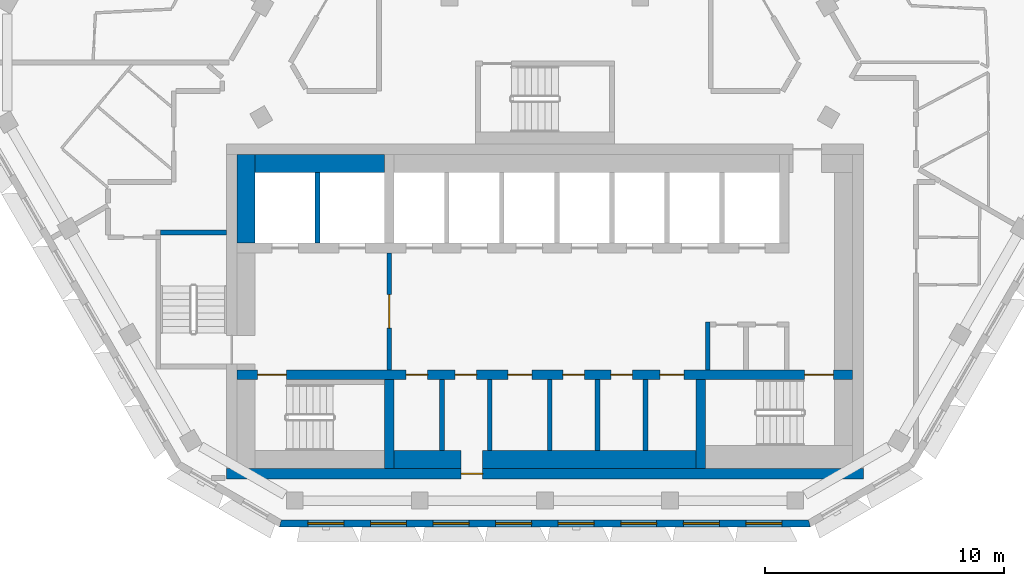
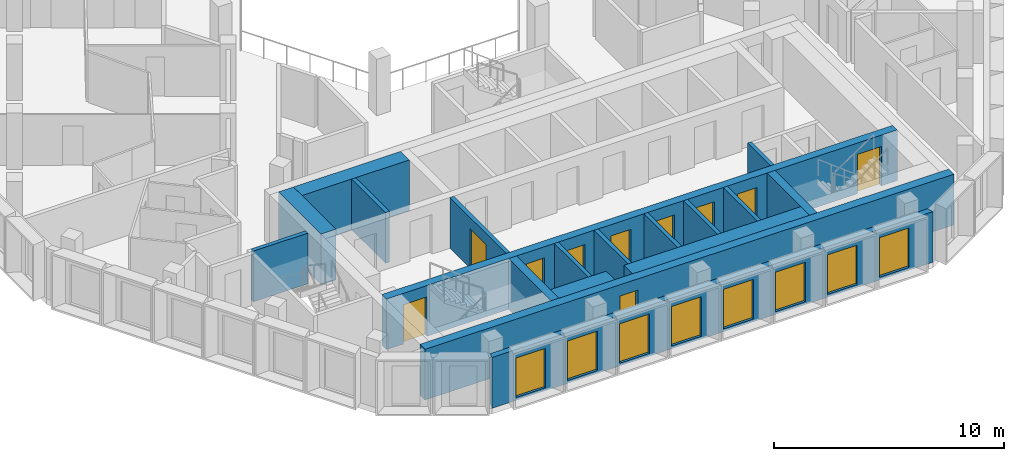
# One storey, part 3 of 16: 18 walls, 10 doors, 8 windows, 18 openings.
"""IFC4 building model written with IfcOpenShell, lengths in metres."""

from ifc_helpers import new_model, si_unit, direction, frame, frame_2d, origin, place, context, subcontext, project, spatial, polyline, rectangle, outline, extrude, material, layer, layer_set, type_object, element, fill, save


model = new_model("IFC4")

# Units and contexts
model_context = context("Model", 3, precision=1e-05, world=origin(), true_north=direction((0.0, 1.0)))
body_context = subcontext(model_context, "Body", "Model", "MODEL_VIEW")
ifc_project = project(units=[si_unit("LENGTHUNIT", "METRE"), si_unit("AREAUNIT", "SQUARE_METRE"), si_unit("VOLUMEUNIT", "CUBIC_METRE"), si_unit("PLANEANGLEUNIT", "RADIAN"), si_unit("MASSUNIT", "GRAM", prefix="KILO")], contexts=[model_context])

# Site, building, storey
site_placement = place(None, origin())
site = spatial("IfcSite", under=ifc_project, at=site_placement, CompositionType="ELEMENT")
building_placement = place(site_placement, origin())
building = spatial("IfcBuilding", under=site, at=building_placement, Name="Beryl Residences", CompositionType="ELEMENT")
storey_placement = place(building_placement, frame((0.0, 0.0, 232.800048828125)))
storey = spatial("IfcBuildingStorey", under=building, at=storey_placement, Name="L72", CompositionType="ELEMENT", Elevation=232.800048828125)

# Wall, openings, windows
ifc_material_1 = material(Name="Composite metal panel with mineral wool insulation")
ifc_layer_1 = layer(ifc_material_1, 0.300048828125)
ifc_layer_set_1 = layer_set([ifc_layer_1], Name="ES1 pale metal composite panel wall 300 mm")
wall_type_1 = type_object("IfcWallType", Name="ES1 pale metal composite panel wall 300 mm", PredefinedType="SOLIDWALL", material=ifc_layer_set_1)
wall_1_placement = place(storey_placement, frame((-11.0849609375, -20.85009765625, 0.0), z_axis=(0.0, 0.0, 1.0), x_axis=(1.0, 0.0, 0.0)))
wall_1 = element("IfcWall", 1, at=wall_1_placement, inside=storey, type_object=wall_type_1, Name="ES1 external wall L72 S", PredefinedType="SOLIDWALL", context=body_context, shape_type="SweptSolid", body=[
    extrude(outline(polyline([(0.0, -0.14990234375), (22.169921875, -0.14990234375), (22.089599609375, 0.14990234375), (0.080322265625, 0.14990234375), (0.0, -0.14990234375)])), origin(), (0.0, 0.0, 1.0), 2.699951171875),
])
opening_1_placement = place(wall_1_placement, frame((1.19091796875, 0.0, 0.14990234375)))
opening_1 = element("IfcOpeningElement", 2, at=opening_1_placement, cuts=wall_1, Name="Opening W1", PredefinedType="OPENING", context=body_context, shape_type="SweptSolid", body=[
    extrude(rectangle(XDim=1.5, YDim=2.10009765625, at=frame_2d((0.75, 1.050048828125))), frame((0.0, 0.159912109375, 0.0), z_axis=(0.0, -1.0, 0.0), x_axis=(1.0, 0.0, 0.0)), (0.0, 0.0, 1.0), 0.320068359375),
])
opening_2_placement = place(wall_1_placement, frame((3.803955078125, 0.0, 0.14990234375)))
opening_2 = element("IfcOpeningElement", 3, at=opening_2_placement, cuts=wall_1, Name="Opening W1", PredefinedType="OPENING", context=body_context, shape_type="SweptSolid", body=[
    extrude(rectangle(XDim=1.5, YDim=2.10009765625, at=frame_2d((0.75, 1.050048828125))), frame((0.0, 0.159912109375, 0.0), z_axis=(0.0, -1.0, 0.0), x_axis=(1.0, 0.0, 0.0)), (0.0, 0.0, 1.0), 0.320068359375),
])
opening_3_placement = place(wall_1_placement, frame((6.416015625, 0.0, 0.14990234375)))
opening_3 = element("IfcOpeningElement", 4, at=opening_3_placement, cuts=wall_1, Name="Opening W1", PredefinedType="OPENING", context=body_context, shape_type="SweptSolid", body=[
    extrude(rectangle(XDim=1.5, YDim=2.10009765625, at=frame_2d((0.75, 1.050048828125))), frame((0.0, 0.159912109375, 0.0), z_axis=(0.0, -1.0, 0.0), x_axis=(1.0, 0.0, 0.0)), (0.0, 0.0, 1.0), 0.320068359375),
])
opening_4_placement = place(wall_1_placement, frame((9.029052734375, 0.0, 0.14990234375)))
opening_4 = element("IfcOpeningElement", 5, at=opening_4_placement, cuts=wall_1, Name="Opening W1", PredefinedType="OPENING", context=body_context, shape_type="SweptSolid", body=[
    extrude(rectangle(XDim=1.5, YDim=2.10009765625, at=frame_2d((0.75, 1.050048828125))), frame((0.0, 0.159912109375, 0.0), z_axis=(0.0, -1.0, 0.0), x_axis=(1.0, 0.0, 0.0)), (0.0, 0.0, 1.0), 0.320068359375),
])
opening_5_placement = place(wall_1_placement, frame((11.64111328125, 0.0, 0.14990234375)))
opening_5 = element("IfcOpeningElement", 6, at=opening_5_placement, cuts=wall_1, Name="Opening W1", PredefinedType="OPENING", context=body_context, shape_type="SweptSolid", body=[
    extrude(rectangle(XDim=1.5, YDim=2.10009765625, at=frame_2d((0.75, 1.050048828125))), frame((0.0, 0.159912109375, 0.0), z_axis=(0.0, -1.0, 0.0), x_axis=(1.0, 0.0, 0.0)), (0.0, 0.0, 1.0), 0.320068359375),
])
opening_6_placement = place(wall_1_placement, frame((14.25390625, 0.0, 0.14990234375)))
opening_6 = element("IfcOpeningElement", 7, at=opening_6_placement, cuts=wall_1, Name="Opening W1", PredefinedType="OPENING", context=body_context, shape_type="SweptSolid", body=[
    extrude(rectangle(XDim=1.5, YDim=2.10009765625, at=frame_2d((0.75, 1.050048828125))), frame((0.0, 0.159912109375, 0.0), z_axis=(0.0, -1.0, 0.0), x_axis=(1.0, 0.0, 0.0)), (0.0, 0.0, 1.0), 0.320068359375),
])
opening_7_placement = place(wall_1_placement, frame((16.865966796875, 0.0, 0.14990234375)))
opening_7 = element("IfcOpeningElement", 8, at=opening_7_placement, cuts=wall_1, Name="Opening W1", PredefinedType="OPENING", context=body_context, shape_type="SweptSolid", body=[
    extrude(rectangle(XDim=1.5, YDim=2.10009765625, at=frame_2d((0.75, 1.050048828125))), frame((0.0, 0.159912109375, 0.0), z_axis=(0.0, -1.0, 0.0), x_axis=(1.0, 0.0, 0.0)), (0.0, 0.0, 1.0), 0.320068359375),
])
opening_8_placement = place(wall_1_placement, frame((19.47900390625, 0.0, 0.14990234375)))
opening_8 = element("IfcOpeningElement", 9, at=opening_8_placement, cuts=wall_1, Name="Opening W1", PredefinedType="OPENING", context=body_context, shape_type="SweptSolid", body=[
    extrude(rectangle(XDim=1.5, YDim=2.10009765625, at=frame_2d((0.75, 1.050048828125))), frame((0.0, 0.159912109375, 0.0), z_axis=(0.0, -1.0, 0.0), x_axis=(1.0, 0.0, 0.0)), (0.0, 0.0, 1.0), 0.320068359375),
])
ifc_material_2 = material(Name="Aluminium and clear glass", Category="aluminium")
window_type = type_object("IfcWindowType", Name="W1 cell window 1500 x 2100 mm", PartitioningType="SINGLE_PANEL", PredefinedType="WINDOW", material=ifc_material_2)
window_1_placement = place(opening_1_placement, origin())
window_1 = element("IfcWindow", 10, at=window_1_placement, inside=storey, type_object=window_type, Name="W1 window L72 S 1", OverallHeight=2.10009765625, OverallWidth=1.5, PartitioningType="SINGLE_PANEL", PredefinedType="WINDOW", context=body_context, shape_type="SweptSolid", body=[
    extrude(rectangle(XDim=1.5, YDim=2.10009765625, at=frame_2d((0.75, 1.050048828125))), frame((0.0, 0.030029296875, 0.0), z_axis=(0.0, -1.0, 0.0), x_axis=(1.0, 0.0, 0.0)), (0.0, 0.0, 1.0), 0.06005859375),
])
fill(opening_1, window_1)
window_2_placement = place(opening_2_placement, origin())
window_2 = element("IfcWindow", 11, at=window_2_placement, inside=storey, type_object=window_type, Name="W1 window L72 S 2", OverallHeight=2.10009765625, OverallWidth=1.5, PartitioningType="SINGLE_PANEL", PredefinedType="WINDOW", context=body_context, shape_type="SweptSolid", body=[
    extrude(rectangle(XDim=1.5, YDim=2.10009765625, at=frame_2d((0.75, 1.050048828125))), frame((0.0, 0.030029296875, 0.0), z_axis=(0.0, -1.0, 0.0), x_axis=(1.0, 0.0, 0.0)), (0.0, 0.0, 1.0), 0.06005859375),
])
fill(opening_2, window_2)
window_3_placement = place(opening_3_placement, origin())
window_3 = element("IfcWindow", 12, at=window_3_placement, inside=storey, type_object=window_type, Name="W1 window L72 S 3", OverallHeight=2.10009765625, OverallWidth=1.5, PartitioningType="SINGLE_PANEL", PredefinedType="WINDOW", context=body_context, shape_type="SweptSolid", body=[
    extrude(rectangle(XDim=1.5, YDim=2.10009765625, at=frame_2d((0.75, 1.050048828125))), frame((0.0, 0.030029296875, 0.0), z_axis=(0.0, -1.0, 0.0), x_axis=(1.0, 0.0, 0.0)), (0.0, 0.0, 1.0), 0.06005859375),
])
fill(opening_3, window_3)
window_4_placement = place(opening_4_placement, origin())
window_4 = element("IfcWindow", 13, at=window_4_placement, inside=storey, type_object=window_type, Name="W1 window L72 S 4", OverallHeight=2.10009765625, OverallWidth=1.5, PartitioningType="SINGLE_PANEL", PredefinedType="WINDOW", context=body_context, shape_type="SweptSolid", body=[
    extrude(rectangle(XDim=1.5, YDim=2.10009765625, at=frame_2d((0.75, 1.050048828125))), frame((0.0, 0.030029296875, 0.0), z_axis=(0.0, -1.0, 0.0), x_axis=(1.0, 0.0, 0.0)), (0.0, 0.0, 1.0), 0.06005859375),
])
fill(opening_4, window_4)
window_5_placement = place(opening_5_placement, origin())
window_5 = element("IfcWindow", 14, at=window_5_placement, inside=storey, type_object=window_type, Name="W1 window L72 S 5", OverallHeight=2.10009765625, OverallWidth=1.5, PartitioningType="SINGLE_PANEL", PredefinedType="WINDOW", context=body_context, shape_type="SweptSolid", body=[
    extrude(rectangle(XDim=1.5, YDim=2.10009765625, at=frame_2d((0.75, 1.050048828125))), frame((0.0, 0.030029296875, 0.0), z_axis=(0.0, -1.0, 0.0), x_axis=(1.0, 0.0, 0.0)), (0.0, 0.0, 1.0), 0.06005859375),
])
fill(opening_5, window_5)
window_6_placement = place(opening_6_placement, origin())
window_6 = element("IfcWindow", 15, at=window_6_placement, inside=storey, type_object=window_type, Name="W1 window L72 S 6", OverallHeight=2.10009765625, OverallWidth=1.5, PartitioningType="SINGLE_PANEL", PredefinedType="WINDOW", context=body_context, shape_type="SweptSolid", body=[
    extrude(rectangle(XDim=1.5, YDim=2.10009765625, at=frame_2d((0.75, 1.050048828125))), frame((0.0, 0.030029296875, 0.0), z_axis=(0.0, -1.0, 0.0), x_axis=(1.0, 0.0, 0.0)), (0.0, 0.0, 1.0), 0.06005859375),
])
fill(opening_6, window_6)
window_7_placement = place(opening_7_placement, origin())
window_7 = element("IfcWindow", 16, at=window_7_placement, inside=storey, type_object=window_type, Name="W1 window L72 S 7", OverallHeight=2.10009765625, OverallWidth=1.5, PartitioningType="SINGLE_PANEL", PredefinedType="WINDOW", context=body_context, shape_type="SweptSolid", body=[
    extrude(rectangle(XDim=1.5, YDim=2.10009765625, at=frame_2d((0.75, 1.050048828125))), frame((0.0, 0.030029296875, 0.0), z_axis=(0.0, -1.0, 0.0), x_axis=(1.0, 0.0, 0.0)), (0.0, 0.0, 1.0), 0.06005859375),
])
fill(opening_7, window_7)
window_8_placement = place(opening_8_placement, origin())
window_8 = element("IfcWindow", 17, at=window_8_placement, inside=storey, type_object=window_type, Name="W1 window L72 S 8", OverallHeight=2.10009765625, OverallWidth=1.5, PartitioningType="SINGLE_PANEL", PredefinedType="WINDOW", context=body_context, shape_type="SweptSolid", body=[
    extrude(rectangle(XDim=1.5, YDim=2.10009765625, at=frame_2d((0.75, 1.050048828125))), frame((0.0, 0.030029296875, 0.0), z_axis=(0.0, -1.0, 0.0), x_axis=(1.0, 0.0, 0.0)), (0.0, 0.0, 1.0), 0.06005859375),
])
fill(opening_8, window_8)

# Wall, opening, door
ifc_material_3 = material(Name="Concrete masonry", Category="masonry")
ifc_layer_2 = layer(ifc_material_3, 0.199951171875)
ifc_layer_set_2 = layer_set([ifc_layer_2], Name="PT13 lobby wall 200 mm")
wall_type_2 = type_object("IfcWallType", Name="PT13 lobby wall 200 mm", PredefinedType="PARTITIONING", material=ifc_layer_set_2)
wall_2_placement = place(storey_placement, frame((-6.5, -14.449951171875, 0.0), z_axis=(0.0, 0.0, 1.0), x_axis=(0.0, 1.0, 0.0)))
wall_2 = element("IfcWall", 18, at=wall_2_placement, inside=storey, type_object=wall_type_2, Name="Lobby wall 12", PredefinedType="PARTITIONING", context=body_context, shape_type="SweptSolid", body=[
    extrude(rectangle(XDim=4.89990234375, YDim=0.199951171875, at=frame_2d((2.449951171875, 0.0))), origin(), (0.0, 0.0, 1.0), 2.699951171875),
])
opening_9_placement = place(wall_2_placement, frame((3.14990234375, 0.0, 0.0), z_axis=(0.0, 0.0, 1.0), x_axis=(-1.0, 0.0, 0.0)))
opening_9 = element("IfcOpeningElement", 19, at=opening_9_placement, cuts=wall_2, Name="Opening FD-FFL", PredefinedType="OPENING", context=body_context, shape_type="SweptSolid", body=[
    extrude(rectangle(XDim=1.39990234375, YDim=2.10009765625, at=frame_2d((0.699951171875, 1.050048828125))), frame((0.0, 0.10986328125, 0.0), z_axis=(0.0, -1.0, 0.0), x_axis=(1.0, 0.0, 0.0)), (0.0, 0.0, 1.0), 0.219970703125),
])
ifc_material_4 = material(Name="Steel door leaf in steel frame", Category="steel")
door_type_1 = type_object("IfcDoorType", Name="D5 lobby door 1400 x 2100 mm", OperationType="DOUBLE_DOOR_SINGLE_SWING", PredefinedType="DOOR", material=ifc_material_4)
door_1_placement = place(opening_9_placement, origin())
door_1 = element("IfcDoor", 20, at=door_1_placement, inside=storey, type_object=door_type_1, Name="Door FD-FFL L72 001", OperationType="DOUBLE_DOOR_SINGLE_SWING", OverallHeight=2.10009765625, OverallWidth=1.39990234375, PredefinedType="DOOR", context=body_context, shape_type="SweptSolid", body=[
    extrude(rectangle(XDim=1.39990234375, YDim=2.10009765625, at=frame_2d((0.699951171875, 1.050048828125))), frame((0.0, 0.02490234375, 0.0), z_axis=(0.0, -1.0, 0.0), x_axis=(1.0, 0.0, 0.0)), (0.0, 0.0, 1.0), 0.050048828125),
])
fill(opening_9, door_1)

# Walls
wall_3_placement = place(storey_placement, frame((6.800048828125, -14.449951171875, 0.0), z_axis=(0.0, 0.0, 1.0), x_axis=(0.0, 1.0, 0.0)))
element("IfcWall", 21, at=wall_3_placement, inside=storey, type_object=wall_type_2, Name="Lobby wall 27", PredefinedType="PARTITIONING", context=body_context, shape_type="SweptSolid", body=[
    extrude(rectangle(XDim=2.0, YDim=0.199951171875, at=frame_2d((1.0, 0.0))), origin(), (0.0, 0.0, 1.0), 2.699951171875),
])
ifc_material_5 = material(Name="Concrete C40/50", Category="concrete")
ifc_layer_3 = layer(ifc_material_5, 0.199951171875)
ifc_layer_set_3 = layer_set([ifc_layer_3], Name="PT5 stair enclosure wall 200 mm reinforced concrete C40/50")
wall_type_3 = type_object("IfcWallType", Name="PT5 stair enclosure wall 200 mm reinforced concrete C40/50", PredefinedType="SOLIDWALL", material=ifc_layer_set_3)
wall_4_placement = place(storey_placement, frame((-16.050048828125, -8.699951171875, 0.0), z_axis=(0.0, 0.0, 1.0), x_axis=(1.0, 0.0, 0.0)))
element("IfcWall", 22, at=wall_4_placement, inside=storey, type_object=wall_type_3, Name="Stair wall 03", PredefinedType="SOLIDWALL", context=body_context, shape_type="SweptSolid", body=[
    extrude(rectangle(XDim=2.75, YDim=0.199951171875, at=frame_2d((1.375, 0.0))), origin(), (0.0, 0.0, 1.0), 2.699951171875),
])
ifc_material_6 = material(Name="Concrete C40/50", Category="concrete")
ifc_layer_4 = layer(ifc_material_6, 0.199951171875)
ifc_layer_set_4 = layer_set([ifc_layer_4], Name="PT6 lift shaft wall 200 mm reinforced concrete C40/50")
wall_type_4 = type_object("IfcWallType", Name="PT6 lift shaft wall 200 mm reinforced concrete C40/50", PredefinedType="SOLIDWALL", material=ifc_layer_set_4)
wall_5_placement = place(storey_placement, frame((-9.5, -9.14990234375, 0.0), z_axis=(0.0, 0.0, 1.0), x_axis=(0.0, 1.0, 0.0)))
element("IfcWall", 23, at=wall_5_placement, inside=storey, type_object=wall_type_4, Name="Lift shaft wall 11", PredefinedType="SOLIDWALL", context=body_context, shape_type="SweptSolid", body=[
    extrude(rectangle(XDim=2.949951171875, YDim=0.199951171875, at=frame_2d((1.47509765625, 0.0))), origin(), (0.0, 0.0, 1.0), 2.699951171875),
])
ifc_material_7 = material(Name="Concrete C40/50", Category="concrete")
ifc_layer_5 = layer(ifc_material_7, 0.75)
ifc_layer_set_5 = layer_set([ifc_layer_5], Name="PT6-750 lift shaft wall 750 mm")
wall_type_5 = type_object("IfcWallType", Name="PT6-750 lift shaft wall 750 mm", PredefinedType="SOLIDWALL", material=ifc_layer_set_5)
wall_6_placement = place(storey_placement, frame((-12.47509765625, -9.14990234375, 0.0), z_axis=(0.0, 0.0, 1.0), x_axis=(0.0, 1.0, 0.0)))
element("IfcWall", 24, at=wall_6_placement, inside=storey, type_object=wall_type_5, Name="Lift shaft wall 07", PredefinedType="SOLIDWALL", context=body_context, shape_type="SweptSolid", body=[
    extrude(rectangle(XDim=3.699951171875, YDim=0.75, at=frame_2d((1.85009765625, 0.0))), origin(), (0.0, 0.0, 1.0), 2.699951171875),
])
wall_7_placement = place(storey_placement, frame((-12.10009765625, -5.824951171875, 0.0), z_axis=(0.0, 0.0, 1.0), x_axis=(1.0, 0.0, 0.0)))
element("IfcWall", 25, at=wall_7_placement, inside=storey, type_object=wall_type_5, Name="Lift shaft wall 09", PredefinedType="SOLIDWALL", context=body_context, shape_type="SweptSolid", body=[
    extrude(rectangle(XDim=5.400146484375, YDim=0.75, at=frame_2d((2.7001953125, 0.0))), origin(), (0.0, 0.0, 1.0), 2.699951171875),
])
ifc_material_8 = material(Name="Concrete masonry", Category="masonry")
ifc_layer_6 = layer(ifc_material_8, 0.199951171875)
ifc_layer_set_6 = layer_set([ifc_layer_6], Name="PT8-200 service room wall 200 mm")
wall_type_6 = type_object("IfcWallType", Name="PT8-200 service room wall 200 mm", PredefinedType="PARTITIONING", material=ifc_layer_set_6)
for number, where, z_axis, x_axis, name in (
    (26, (-4.300048828125, -17.800048828125, 0.0), (0.0, 0.0, 1.0), (0.0, 1.0, 0.0), "Core room wall 15"),
    (27, (-2.300048828125, -17.800048828125, 0.0), (0.0, 0.0, 1.0), (0.0, 1.0, 0.0), "Core room wall 18"),
    (28, (0.199951171875, -17.800048828125, 0.0), (0.0, 0.0, 1.0), (0.0, 1.0, 0.0), "Core room wall 20"),
    (29, (2.199951171875, -17.800048828125, 0.0), (0.0, 0.0, 1.0), (0.0, 1.0, 0.0), "Core room wall 22"),
    (30, (4.199951171875, -17.800048828125, 0.0), (0.0, 0.0, 1.0), (0.0, 1.0, 0.0), "Core room wall 24"),
):
    element("IfcWall", number, at=place(storey_placement, frame(where, z_axis=z_axis, x_axis=x_axis)), inside=storey, type_object=wall_type_6, Name=name, PredefinedType="PARTITIONING", context=body_context, shape_type="SweptSolid", body=[
        extrude(rectangle(XDim=2.949951171875, YDim=0.199951171875, at=frame_2d((1.47509765625, 0.0))), origin(), (0.0, 0.0, 1.0), 2.699951171875),
    ])
ifc_material_9 = material(Name="Concrete masonry", Category="masonry")
ifc_layer_7 = layer(ifc_material_9, 0.75)
ifc_layer_set_7 = layer_set([ifc_layer_7], Name="PT8-750 service room wall 750 mm")
wall_type_7 = type_object("IfcWallType", Name="PT8-750 service room wall 750 mm", PredefinedType="PARTITIONING", material=ifc_layer_set_7)
wall_8_placement = place(storey_placement, frame((-6.300048828125, -18.175048828125, 0.0), z_axis=(0.0, 0.0, 1.0), x_axis=(1.0, 0.0, 0.0)))
element("IfcWall", 31, at=wall_8_placement, inside=storey, type_object=wall_type_7, Name="Core room wall 13", PredefinedType="PARTITIONING", context=body_context, shape_type="SweptSolid", body=[
    extrude(rectangle(XDim=2.800048828125, YDim=0.75, at=frame_2d((1.39990234375, 0.0))), origin(), (0.0, 0.0, 1.0), 2.699951171875),
])
wall_9_placement = place(storey_placement, frame((-2.60009765625, -18.175048828125, 0.0), z_axis=(0.0, 0.0, 1.0), x_axis=(1.0, 0.0, 0.0)))
element("IfcWall", 32, at=wall_9_placement, inside=storey, type_object=wall_type_7, Name="Core room wall 17", PredefinedType="PARTITIONING", context=body_context, shape_type="SweptSolid", body=[
    extrude(rectangle(XDim=8.900146484375, YDim=0.75, at=frame_2d((4.4501953125, 0.0))), origin(), (0.0, 0.0, 1.0), 2.699951171875),
])

# Wall, openings, doors
ifc_material_10 = material(Name="Concrete C50/60", Category="concrete")
ifc_layer_8 = layer(ifc_material_10, 0.39990234375)
ifc_layer_set_8 = layer_set([ifc_layer_8], Name="SW10 core internal wall 400 mm C50/60")
wall_type_8 = type_object("IfcWallType", Name="SW10 core internal wall 400 mm C50/60", PredefinedType="SHEAR", material=ifc_layer_set_8)
wall_10_placement = place(storey_placement, frame((-12.85009765625, -14.64990234375, 0.0), z_axis=(0.0, 0.0, 1.0), x_axis=(1.0, 0.0, 0.0)))
wall_10 = element("IfcWall", 33, at=wall_10_placement, inside=storey, type_object=wall_type_8, Name="Core wall SP1 L72", PredefinedType="SHEAR", context=body_context, shape_type="SweptSolid", body=[
    extrude(rectangle(XDim=25.7001953125, YDim=0.39990234375, at=frame_2d((12.85009765625, 0.0))), origin(), (0.0, 0.0, 1.0), 2.699951171875),
])
opening_10_placement = place(wall_10_placement, frame((2.050048828125, 0.0, 0.0), z_axis=(0.0, 0.0, 1.0), x_axis=(-1.0, 0.0, 0.0)))
opening_10 = element("IfcOpeningElement", 34, at=opening_10_placement, cuts=wall_10, Name="Opening SD-1", PredefinedType="OPENING", context=body_context, shape_type="SweptSolid", body=[
    extrude(rectangle(XDim=1.199951171875, YDim=2.10009765625, at=frame_2d((0.60009765625, 1.050048828125))), frame((0.0, 0.2099609375, 0.0), z_axis=(0.0, -1.0, 0.0), x_axis=(1.0, 0.0, 0.0)), (0.0, 0.0, 1.0), 0.419921875),
])
opening_11_placement = place(wall_10_placement, frame((24.89990234375, 0.0, 0.0), z_axis=(0.0, 0.0, 1.0), x_axis=(-1.0, 0.0, 0.0)))
opening_11 = element("IfcOpeningElement", 35, at=opening_11_placement, cuts=wall_10, Name="Opening SD-3", PredefinedType="OPENING", context=body_context, shape_type="SweptSolid", body=[
    extrude(rectangle(XDim=1.199951171875, YDim=2.10009765625, at=frame_2d((0.60009765625, 1.050048828125))), frame((0.0, 0.2099609375, 0.0), z_axis=(0.0, -1.0, 0.0), x_axis=(1.0, 0.0, 0.0)), (0.0, 0.0, 1.0), 0.419921875),
])
opening_12_placement = place(wall_10_placement, frame((7.949951171875, 0.0, 0.0), z_axis=(0.0, 0.0, 1.0), x_axis=(-1.0, 0.0, 0.0)))
opening_12 = element("IfcOpeningElement", 36, at=opening_12_placement, cuts=wall_10, Name="Opening CD-D-S1-900", PredefinedType="OPENING", context=body_context, shape_type="SweptSolid", body=[
    extrude(rectangle(XDim=0.89990234375, YDim=2.10009765625, at=frame_2d((0.449951171875, 1.050048828125))), frame((0.0, 0.2099609375, 0.0), z_axis=(0.0, -1.0, 0.0), x_axis=(1.0, 0.0, 0.0)), (0.0, 0.0, 1.0), 0.419921875),
])
opening_13_placement = place(wall_10_placement, frame((10.0, 0.0, 0.0), z_axis=(0.0, 0.0, 1.0), x_axis=(-1.0, 0.0, 0.0)))
opening_13 = element("IfcOpeningElement", 37, at=opening_13_placement, cuts=wall_10, Name="Opening CD-D-S2-900", PredefinedType="OPENING", context=body_context, shape_type="SweptSolid", body=[
    extrude(rectangle(XDim=0.89990234375, YDim=2.10009765625, at=frame_2d((0.449951171875, 1.050048828125))), frame((0.0, 0.2099609375, 0.0), z_axis=(0.0, -1.0, 0.0), x_axis=(1.0, 0.0, 0.0)), (0.0, 0.0, 1.0), 0.419921875),
])
opening_14_placement = place(wall_10_placement, frame((12.300048828125, 0.0, 0.0), z_axis=(0.0, 0.0, 1.0), x_axis=(-1.0, 0.0, 0.0)))
opening_14 = element("IfcOpeningElement", 38, at=opening_14_placement, cuts=wall_10, Name="Opening CD-D-S3", PredefinedType="OPENING", context=body_context, shape_type="SweptSolid", body=[
    extrude(rectangle(XDim=1.0, YDim=2.10009765625, at=frame_2d((0.5, 1.050048828125))), frame((0.0, 0.2099609375, 0.0), z_axis=(0.0, -1.0, 0.0), x_axis=(1.0, 0.0, 0.0)), (0.0, 0.0, 1.0), 0.419921875),
])
opening_15_placement = place(wall_10_placement, frame((14.5, 0.0, 0.0), z_axis=(0.0, 0.0, 1.0), x_axis=(-1.0, 0.0, 0.0)))
opening_15 = element("IfcOpeningElement", 39, at=opening_15_placement, cuts=wall_10, Name="Opening CD-D-S4-900", PredefinedType="OPENING", context=body_context, shape_type="SweptSolid", body=[
    extrude(rectangle(XDim=0.89990234375, YDim=2.10009765625, at=frame_2d((0.449951171875, 1.050048828125))), frame((0.0, 0.2099609375, 0.0), z_axis=(0.0, -1.0, 0.0), x_axis=(1.0, 0.0, 0.0)), (0.0, 0.0, 1.0), 0.419921875),
])
opening_16_placement = place(wall_10_placement, frame((16.5, 0.0, 0.0), z_axis=(0.0, 0.0, 1.0), x_axis=(-1.0, 0.0, 0.0)))
opening_16 = element("IfcOpeningElement", 40, at=opening_16_placement, cuts=wall_10, Name="Opening CD-D-S5-900", PredefinedType="OPENING", context=body_context, shape_type="SweptSolid", body=[
    extrude(rectangle(XDim=0.89990234375, YDim=2.10009765625, at=frame_2d((0.449951171875, 1.050048828125))), frame((0.0, 0.2099609375, 0.0), z_axis=(0.0, -1.0, 0.0), x_axis=(1.0, 0.0, 0.0)), (0.0, 0.0, 1.0), 0.419921875),
])
opening_17_placement = place(wall_10_placement, frame((18.64990234375, 0.0, 0.0), z_axis=(0.0, 0.0, 1.0), x_axis=(-1.0, 0.0, 0.0)))
opening_17 = element("IfcOpeningElement", 41, at=opening_17_placement, cuts=wall_10, Name="Opening CD-D-S6", PredefinedType="OPENING", context=body_context, shape_type="SweptSolid", body=[
    extrude(rectangle(XDim=1.0, YDim=2.10009765625, at=frame_2d((0.5, 1.050048828125))), frame((0.0, 0.2099609375, 0.0), z_axis=(0.0, -1.0, 0.0), x_axis=(1.0, 0.0, 0.0)), (0.0, 0.0, 1.0), 0.419921875),
])
ifc_material_11 = material(Name="Steel door leaf in steel frame", Category="steel")
door_type_2 = type_object("IfcDoorType", Name="D18 service room door 1000 x 2100 mm", OperationType="SINGLE_SWING_LEFT", PredefinedType="DOOR", material=ifc_material_11)
door_2_placement = place(opening_14_placement, origin())
door_2 = element("IfcDoor", 42, at=door_2_placement, inside=storey, type_object=door_type_2, Name="Door CD-D-S3 L72 001", OperationType="SINGLE_SWING_RIGHT", OverallHeight=2.10009765625, OverallWidth=1.0, PredefinedType="DOOR", context=body_context, shape_type="SweptSolid", body=[
    extrude(rectangle(XDim=1.0, YDim=2.10009765625, at=frame_2d((0.5, 1.050048828125))), frame((0.0, 0.02490234375, 0.0), z_axis=(0.0, -1.0, 0.0), x_axis=(1.0, 0.0, 0.0)), (0.0, 0.0, 1.0), 0.050048828125),
])
fill(opening_14, door_2)
door_3_placement = place(opening_17_placement, origin())
door_3 = element("IfcDoor", 43, at=door_3_placement, inside=storey, type_object=door_type_2, Name="Door CD-D-S6 L72 001", OperationType="SINGLE_SWING_LEFT", OverallHeight=2.10009765625, OverallWidth=1.0, PredefinedType="DOOR", context=body_context, shape_type="SweptSolid", body=[
    extrude(rectangle(XDim=1.0, YDim=2.10009765625, at=frame_2d((0.5, 1.050048828125))), frame((0.0, 0.02490234375, 0.0), z_axis=(0.0, -1.0, 0.0), x_axis=(1.0, 0.0, 0.0)), (0.0, 0.0, 1.0), 0.050048828125),
])
fill(opening_17, door_3)
ifc_material_12 = material(Name="Steel door leaf in steel frame", Category="steel")
door_type_3 = type_object("IfcDoorType", Name="D4 stair door 1200 x 2100 mm", OperationType="SINGLE_SWING_LEFT", PredefinedType="DOOR", material=ifc_material_12)
door_4_placement = place(opening_10_placement, origin())
door_4 = element("IfcDoor", 44, at=door_4_placement, inside=storey, type_object=door_type_3, Name="Door SD-1 L72 001", OperationType="SINGLE_SWING_RIGHT", OverallHeight=2.10009765625, OverallWidth=1.199951171875, PredefinedType="DOOR", context=body_context, shape_type="SweptSolid", body=[
    extrude(rectangle(XDim=1.199951171875, YDim=2.10009765625, at=frame_2d((0.60009765625, 1.050048828125))), frame((0.0, 0.02490234375, 0.0), z_axis=(0.0, -1.0, 0.0), x_axis=(1.0, 0.0, 0.0)), (0.0, 0.0, 1.0), 0.050048828125),
])
fill(opening_10, door_4)
door_5_placement = place(opening_11_placement, origin())
door_5 = element("IfcDoor", 45, at=door_5_placement, inside=storey, type_object=door_type_3, Name="Door SD-3 L72 001", OperationType="SINGLE_SWING_RIGHT", OverallHeight=2.10009765625, OverallWidth=1.199951171875, PredefinedType="DOOR", context=body_context, shape_type="SweptSolid", body=[
    extrude(rectangle(XDim=1.199951171875, YDim=2.10009765625, at=frame_2d((0.60009765625, 1.050048828125))), frame((0.0, 0.02490234375, 0.0), z_axis=(0.0, -1.0, 0.0), x_axis=(1.0, 0.0, 0.0)), (0.0, 0.0, 1.0), 0.050048828125),
])
fill(opening_11, door_5)
ifc_material_13 = material(Name="Steel door leaf in steel frame", Category="steel")
door_type_4 = type_object("IfcDoorType", Name="D6 service room door 900 x 2100 mm", OperationType="SINGLE_SWING_LEFT", PredefinedType="DOOR", material=ifc_material_13)
door_6_placement = place(opening_12_placement, origin())
door_6 = element("IfcDoor", 46, at=door_6_placement, inside=storey, type_object=door_type_4, Name="Door CD-D-S1-900 L72 001", OperationType="SINGLE_SWING_RIGHT", OverallHeight=2.10009765625, OverallWidth=0.89990234375, PredefinedType="DOOR", context=body_context, shape_type="SweptSolid", body=[
    extrude(rectangle(XDim=0.89990234375, YDim=2.10009765625, at=frame_2d((0.449951171875, 1.050048828125))), frame((0.0, 0.02490234375, 0.0), z_axis=(0.0, -1.0, 0.0), x_axis=(1.0, 0.0, 0.0)), (0.0, 0.0, 1.0), 0.050048828125),
])
fill(opening_12, door_6)
door_7_placement = place(opening_13_placement, origin())
door_7 = element("IfcDoor", 47, at=door_7_placement, inside=storey, type_object=door_type_4, Name="Door CD-D-S2-900 L72 001", OperationType="SINGLE_SWING_LEFT", OverallHeight=2.10009765625, OverallWidth=0.89990234375, PredefinedType="DOOR", context=body_context, shape_type="SweptSolid", body=[
    extrude(rectangle(XDim=0.89990234375, YDim=2.10009765625, at=frame_2d((0.449951171875, 1.050048828125))), frame((0.0, 0.02490234375, 0.0), z_axis=(0.0, -1.0, 0.0), x_axis=(1.0, 0.0, 0.0)), (0.0, 0.0, 1.0), 0.050048828125),
])
fill(opening_13, door_7)
door_8_placement = place(opening_15_placement, origin())
door_8 = element("IfcDoor", 48, at=door_8_placement, inside=storey, type_object=door_type_4, Name="Door CD-D-S4-900 L72 001", OperationType="SINGLE_SWING_LEFT", OverallHeight=2.10009765625, OverallWidth=0.89990234375, PredefinedType="DOOR", context=body_context, shape_type="SweptSolid", body=[
    extrude(rectangle(XDim=0.89990234375, YDim=2.10009765625, at=frame_2d((0.449951171875, 1.050048828125))), frame((0.0, 0.02490234375, 0.0), z_axis=(0.0, -1.0, 0.0), x_axis=(1.0, 0.0, 0.0)), (0.0, 0.0, 1.0), 0.050048828125),
])
fill(opening_15, door_8)
door_9_placement = place(opening_16_placement, origin())
door_9 = element("IfcDoor", 49, at=door_9_placement, inside=storey, type_object=door_type_4, Name="Door CD-D-S5-900 L72 001", OperationType="SINGLE_SWING_RIGHT", OverallHeight=2.10009765625, OverallWidth=0.89990234375, PredefinedType="DOOR", context=body_context, shape_type="SweptSolid", body=[
    extrude(rectangle(XDim=0.89990234375, YDim=2.10009765625, at=frame_2d((0.449951171875, 1.050048828125))), frame((0.0, 0.02490234375, 0.0), z_axis=(0.0, -1.0, 0.0), x_axis=(1.0, 0.0, 0.0)), (0.0, 0.0, 1.0), 0.050048828125),
])
fill(opening_16, door_9)

# Walls
for number, where, z_axis, x_axis, name in (
    (50, (-6.5, -18.550048828125, 0.0), (0.0, 0.0, 1.0), (0.0, 1.0, 0.0), "Core wall XS1 L72"),
    (51, (6.5, -18.550048828125, 0.0), (0.0, 0.0, 1.0), (0.0, 1.0, 0.0), "Core wall XS2 L72"),
):
    element("IfcWall", number, at=place(storey_placement, frame(where, z_axis=z_axis, x_axis=x_axis)), inside=storey, type_object=wall_type_8, Name=name, PredefinedType="SHEAR", context=body_context, shape_type="SweptSolid", body=[
        extrude(rectangle(XDim=3.699951171875, YDim=0.39990234375, at=frame_2d((1.85009765625, 0.0))), origin(), (0.0, 0.0, 1.0), 2.699951171875),
    ])

# Wall, opening, door
ifc_material_14 = material(Name="Concrete C50/60", Category="concrete")
ifc_layer_9 = layer(ifc_material_14, 0.449951171875)
ifc_layer_set_9 = layer_set([ifc_layer_9], Name="SW5 core outer wall 450 mm C50/60")
wall_type_9 = type_object("IfcWallType", Name="SW5 core outer wall 450 mm C50/60", PredefinedType="SHEAR", material=ifc_layer_set_9)
wall_11_placement = place(storey_placement, frame((-13.300048828125, -18.77490234375, 0.0), z_axis=(0.0, 0.0, 1.0), x_axis=(1.0, 0.0, 0.0)))
wall_11 = element("IfcWall", 52, at=wall_11_placement, inside=storey, type_object=wall_type_9, Name="Core wall S L72", PredefinedType="SHEAR", context=body_context, shape_type="SweptSolid", body=[
    extrude(rectangle(XDim=26.60009765625, YDim=0.449951171875, at=frame_2d((13.300048828125, 0.0))), origin(), (0.0, 0.0, 1.0), 2.699951171875),
])
opening_18_placement = place(wall_11_placement, frame((9.800048828125, 0.0, 0.0)))
opening_18 = element("IfcOpeningElement", 53, at=opening_18_placement, cuts=wall_11, Name="Opening RD-RS", PredefinedType="OPENING", context=body_context, shape_type="SweptSolid", body=[
    extrude(rectangle(XDim=0.89990234375, YDim=2.10009765625, at=frame_2d((0.449951171875, 1.050048828125))), frame((0.0, 0.23486328125, 0.0), z_axis=(0.0, -1.0, 0.0), x_axis=(1.0, 0.0, 0.0)), (0.0, 0.0, 1.0), 0.469970703125),
])
ifc_material_15 = material(Name="Steel door leaf in steel frame", Category="steel")
door_type_5 = type_object("IfcDoorType", Name="D23 riser door 900 x 2100 mm", OperationType="SINGLE_SWING_LEFT", PredefinedType="DOOR", material=ifc_material_15)
door_10_placement = place(opening_18_placement, origin())
door_10 = element("IfcDoor", 54, at=door_10_placement, inside=storey, type_object=door_type_5, Name="Door RD-RS L72 001", OperationType="SINGLE_SWING_RIGHT", OverallHeight=2.10009765625, OverallWidth=0.89990234375, PredefinedType="DOOR", context=body_context, shape_type="SweptSolid", body=[
    extrude(rectangle(XDim=0.89990234375, YDim=2.10009765625, at=frame_2d((0.449951171875, 1.050048828125))), frame((0.0, 0.02490234375, 0.0), z_axis=(0.0, -1.0, 0.0), x_axis=(1.0, 0.0, 0.0)), (0.0, 0.0, 1.0), 0.050048828125),
])
fill(opening_18, door_10)

save(model, "model.ifc")
